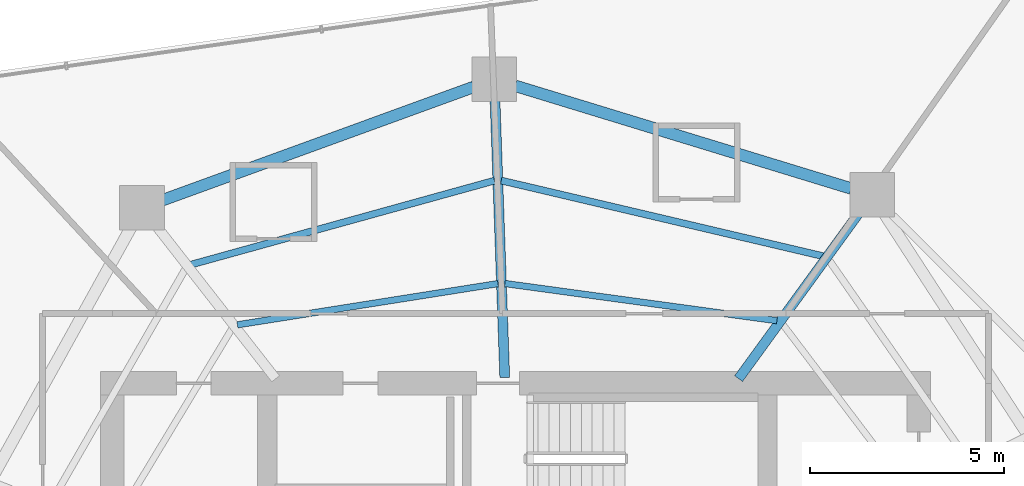
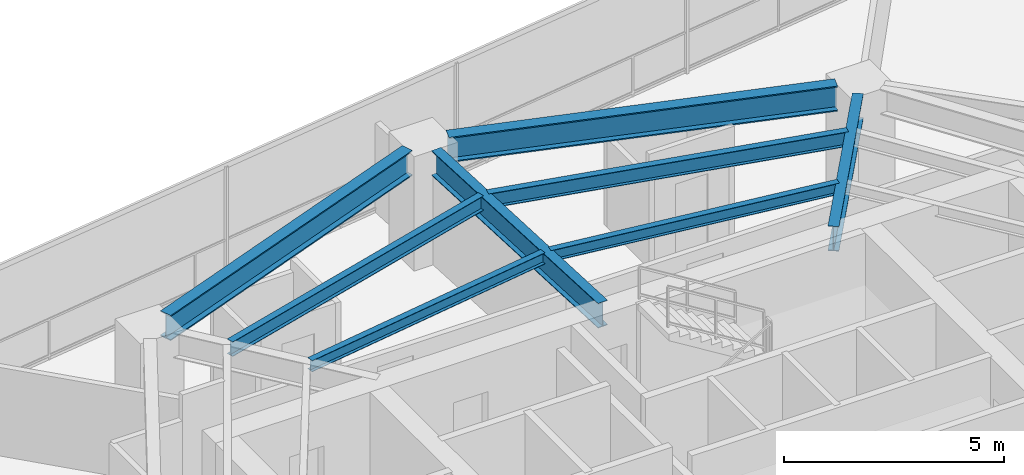
# One storey, part 17 of 29: 8 beams.
"""IFC4 building model written with IfcOpenShell, lengths in metres."""

from ifc_helpers import new_model, si_unit, direction, frame, origin, origin_2d, place, context, subcontext, project, spatial, i_section, extrude, material, material_profile, profile_set, type_object, element, save


model = new_model("IFC4")

# Units and contexts
model_context = context("Model", 3, precision=1e-05, world=origin(), true_north=direction((0.0, 1.0)))
body_context = subcontext(model_context, "Body", "Model", "MODEL_VIEW")
ifc_project = project(units=[si_unit("LENGTHUNIT", "METRE"), si_unit("AREAUNIT", "SQUARE_METRE"), si_unit("VOLUMEUNIT", "CUBIC_METRE"), si_unit("PLANEANGLEUNIT", "RADIAN"), si_unit("MASSUNIT", "GRAM", prefix="KILO")], contexts=[model_context])

# Site, building, storey
site_placement = place(None, origin())
site = spatial("IfcSite", under=ifc_project, at=site_placement, CompositionType="ELEMENT")
building_placement = place(site_placement, origin())
building = spatial("IfcBuilding", under=site, at=building_placement, Name="Qarnah Convention Tower", CompositionType="ELEMENT")
storey_placement = place(building_placement, frame((0.0, 0.0, 97.050048828125)))
storey = spatial("IfcBuildingStorey", under=building, at=storey_placement, Name="L25", CompositionType="ELEMENT", Elevation=97.050048828125)

# Beams
ifc_material = material(Name="Structural steel S355JR", Category="steel")
ifc_material_profile_1 = material_profile(ifc_material, i_section(OverallWidth=0.166015625, OverallDepth=0.31201171875, WebThickness=0.007080078125, FlangeThickness=0.010986328125, at=origin_2d()), Name="W310X45")
ifc_profile_set_1 = profile_set([ifc_material_profile_1], Name="Structural steel S355JR")
beam_type_1 = type_object("IfcBeamType", Name="BM-JST-W310", PredefinedType="JOIST", material=ifc_profile_set_1)
beam_1_placement = place(storey_placement, frame((43.944091796875, 35.81591796875, 3.013916015625), z_axis=(-0.99079026903, 0.135405475498, 0.0), x_axis=(-0.135405475498, -0.99079026903, 0.0)))
element("IfcBeam", 1, at=beam_1_placement, inside=storey, type_object=beam_type_1, Name="L25 joist BM-L25-IJST-02", PredefinedType="JOIST", context=body_context, shape_type="SweptSolid", body=[
    extrude(i_section(OverallWidth=0.166015625, OverallDepth=0.31201171875, WebThickness=0.007080078125, FlangeThickness=0.010986328125, at=origin_2d()), origin(), (0.0, 0.0, 1.0), 7.082275390625),
])
beam_2_placement = place(storey_placement, frame((36.7490234375, 36.77294921875, 3.013916015625), z_axis=(-0.987730371852, -0.156168858996, 0.0), x_axis=(0.156168858996, -0.987730371852, 0.0)))
element("IfcBeam", 2, at=beam_2_placement, inside=storey, type_object=beam_type_1, Name="L25 joist BM-L25-IJST-03", PredefinedType="JOIST", context=body_context, shape_type="SweptSolid", body=[
    extrude(i_section(OverallWidth=0.166015625, OverallDepth=0.31201171875, WebThickness=0.007080078125, FlangeThickness=0.010986328125, at=origin_2d()), origin(), (0.0, 0.0, 1.0), 6.806640625),
])
ifc_material_profile_2 = material_profile(ifc_material, i_section(OverallWidth=0.177978515625, OverallDepth=0.407958984375, WebThickness=0.008056640625, FlangeThickness=0.012939453125, at=origin_2d()), Name="W410X60")
ifc_profile_set_2 = profile_set([ifc_material_profile_2], Name="Structural steel S355JR")
beam_type_2 = type_object("IfcBeamType", Name="BM-JST-W410", PredefinedType="JOIST", material=ifc_profile_set_2)
beam_3_placement = place(storey_placement, frame((45.14501953125, 37.47802734375, 2.966064453125), z_axis=(-0.973473006102, 0.228801893328, 0.0), x_axis=(-0.228801893328, -0.973473006102, 0.0)))
element("IfcBeam", 3, at=beam_3_placement, inside=storey, type_object=beam_type_2, Name="L25 joist BM-L25-SJST-02", PredefinedType="JOIST", context=body_context, shape_type="SweptSolid", body=[
    extrude(i_section(OverallWidth=0.177978515625, OverallDepth=0.407958984375, WebThickness=0.008056640625, FlangeThickness=0.012939453125, at=origin_2d()), origin(), (0.0, 0.0, 1.0), 8.53955078125),
])
beam_4_placement = place(storey_placement, frame((36.656982421875, 39.428955078125, 2.966064453125), z_axis=(-0.963761857739, -0.266764093474, 0.0), x_axis=(0.266764093474, -0.963761857739, 0.0)))
element("IfcBeam", 4, at=beam_4_placement, inside=storey, type_object=beam_type_2, Name="L25 joist BM-L25-SJST-03", PredefinedType="JOIST", context=body_context, shape_type="SweptSolid", body=[
    extrude(i_section(OverallWidth=0.177978515625, OverallDepth=0.407958984375, WebThickness=0.008056640625, FlangeThickness=0.012939453125, at=origin_2d()), origin(), (0.0, 0.0, 1.0), 8.130615234375),
])
ifc_material_profile_3 = material_profile(ifc_material, i_section(OverallWidth=0.25390625, OverallDepth=0.68798828125, WebThickness=0.012939453125, FlangeThickness=0.02099609375, at=origin_2d()), Name="W690X152")
ifc_profile_set_3 = profile_set([ifc_material_profile_3], Name="Structural steel S355JR")
beam_type_3 = type_object("IfcBeamType", Name="BM-RAD-W690", PredefinedType="BEAM", material=ifc_profile_set_3)
beam_5_placement = place(storey_placement, frame((42.955078125, 34.321044921875, 2.825927734375), z_axis=(0.587824069471, 0.808988790621, 0.0), x_axis=(-0.808988790621, 0.587824069471, 0.0)))
element("IfcBeam", 5, at=beam_5_placement, inside=storey, type_object=beam_type_3, Name="L25 beam BM-L25-RAD-02", PredefinedType="BEAM", context=body_context, shape_type="SweptSolid", body=[
    extrude(i_section(OverallWidth=0.25390625, OverallDepth=0.68798828125, WebThickness=0.012939453125, FlangeThickness=0.02099609375, at=origin_2d()), origin(), (0.0, 0.0, 1.0), 5.30419921875),
])
beam_6_placement = place(storey_placement, frame((36.923095703125, 34.35009765625, 2.825927734375), z_axis=(-0.035017005912, 0.99938671659, 0.0), x_axis=(-0.99938671659, -0.035017005912, 0.0)))
element("IfcBeam", 6, at=beam_6_placement, inside=storey, type_object=beam_type_3, Name="L25 beam BM-L25-RAD-03", PredefinedType="BEAM", context=body_context, shape_type="SweptSolid", body=[
    extrude(i_section(OverallWidth=0.25390625, OverallDepth=0.68798828125, WebThickness=0.012939453125, FlangeThickness=0.02099609375, at=origin_2d()), origin(), (0.0, 0.0, 1.0), 7.139404296875),
])
ifc_material_profile_4 = material_profile(ifc_material, i_section(OverallWidth=0.300048828125, OverallDepth=0.699951171875, WebThickness=0.01708984375, FlangeThickness=0.031982421875, at=origin_2d()), Name="HEB700")
ifc_profile_set_4 = profile_set([ifc_material_profile_4], Name="Structural steel S355JR")
beam_type_4 = type_object("IfcBeamType", Name="BM-RING-HEB700", PredefinedType="BEAM", material=ifc_profile_set_4)
beam_7_placement = place(storey_placement, frame((45.85888671875, 39.22607421875, 2.820068359375), z_axis=(-0.956309936148, 0.292354760565, 0.0), x_axis=(-0.292354760565, -0.956309936148, 0.0)))
element("IfcBeam", 7, at=beam_7_placement, inside=storey, type_object=beam_type_4, Name="L25 beam BM-L25-SPN-02", PredefinedType="BEAM", context=body_context, shape_type="SweptSolid", body=[
    extrude(i_section(OverallWidth=0.300048828125, OverallDepth=0.699951171875, WebThickness=0.01708984375, FlangeThickness=0.031982421875, at=origin_2d()), origin(), (0.0, 0.0, 1.0), 9.060546875),
])
beam_8_placement = place(storey_placement, frame((36.123046875, 41.846923828125, 2.820068359375), z_axis=(-0.939683226771, -0.342045952067, 0.0), x_axis=(0.342045952067, -0.939683226771, 0.0)))
element("IfcBeam", 8, at=beam_8_placement, inside=storey, type_object=beam_type_4, Name="L25 beam BM-L25-SPN-03", PredefinedType="BEAM", context=body_context, shape_type="SweptSolid", body=[
    extrude(i_section(OverallWidth=0.300048828125, OverallDepth=0.699951171875, WebThickness=0.01708984375, FlangeThickness=0.031982421875, at=origin_2d()), origin(), (0.0, 0.0, 1.0), 8.542236328125),
])

save(model, "model.ifc")
